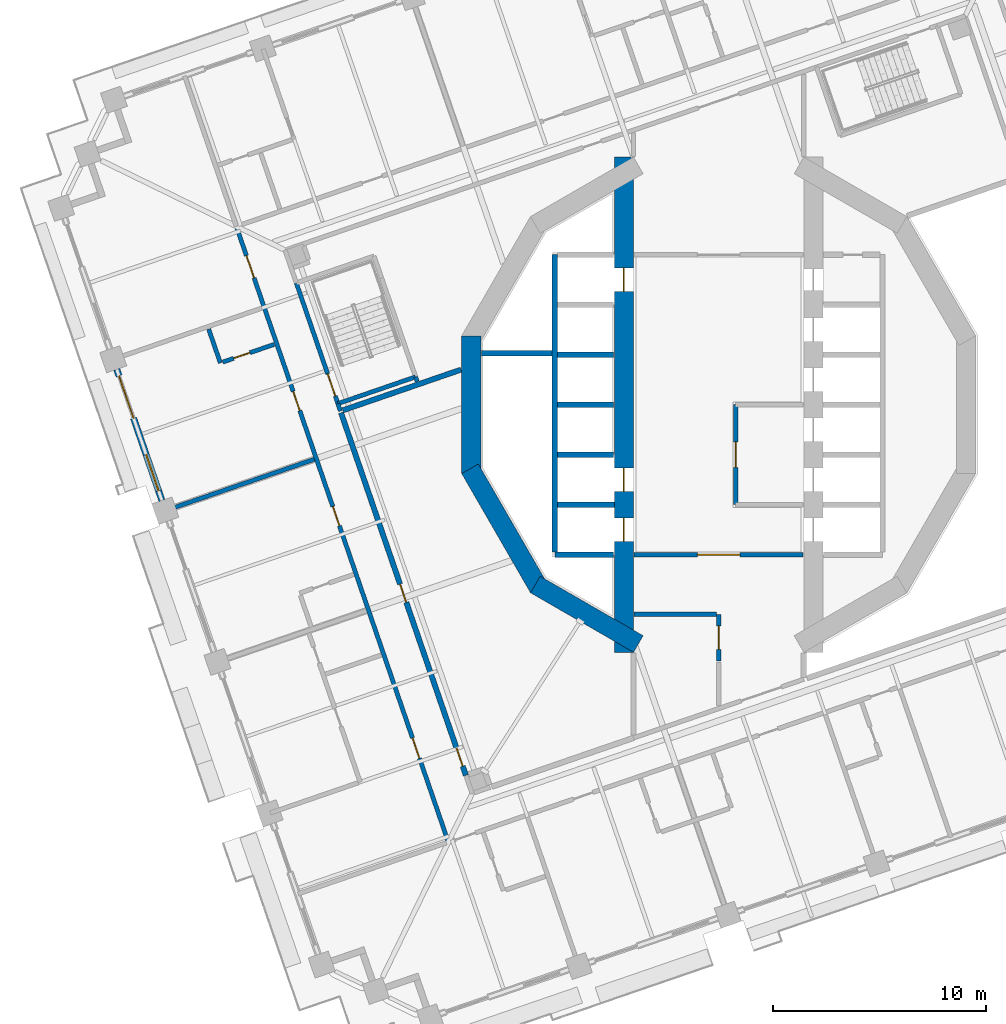
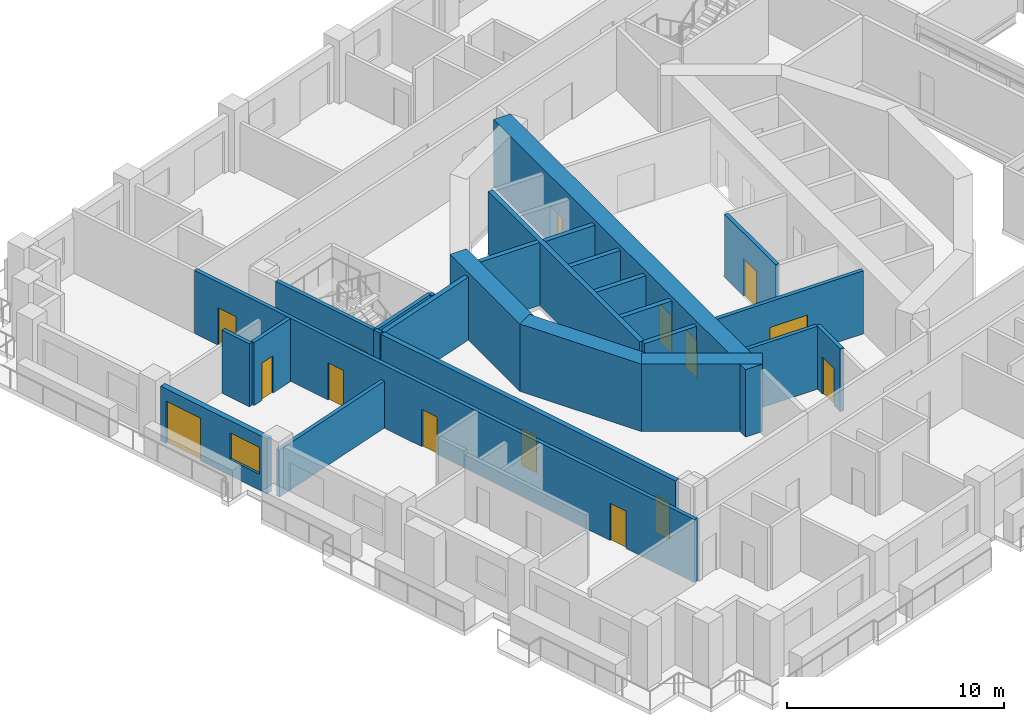
# One storey, part 9 of 22: 26 walls, 15 doors, 1 window, 16 openings.
"""IFC4 building model written with IfcOpenShell, lengths in metres."""

from ifc_helpers import new_model, si_unit, direction, frame, frame_2d, origin, place, context, subcontext, project, spatial, rectangle, extrude, material, layer, layer_set, type_object, element, fill, save


model = new_model("IFC4")

# Units and contexts
model_context = context("Model", 3, precision=1e-05, world=origin(), true_north=direction((0.0, 1.0)))
body_context = subcontext(model_context, "Body", "Model", "MODEL_VIEW")
ifc_project = project(units=[si_unit("LENGTHUNIT", "METRE"), si_unit("AREAUNIT", "SQUARE_METRE"), si_unit("VOLUMEUNIT", "CUBIC_METRE"), si_unit("PLANEANGLEUNIT", "RADIAN"), si_unit("MASSUNIT", "GRAM", prefix="KILO")], contexts=[model_context])

# Site, building, storey
site_placement = place(None, origin())
site = spatial("IfcSite", under=ifc_project, at=site_placement, CompositionType="ELEMENT")
building_placement = place(site_placement, origin())
building = spatial("IfcBuilding", under=site, at=building_placement, Name="Cantera Rosa Tower", CompositionType="ELEMENT")
storey_placement = place(building_placement, frame((0.0, 0.0, 115.5)))
storey = spatial("IfcBuildingStorey", under=building, at=storey_placement, Name="L23", CompositionType="ELEMENT", Elevation=115.5)

# Wall, openings, doors
ifc_material_1 = material(Name="Gypsum board partition")
ifc_layer_1 = layer(ifc_material_1, 0.199951171875)
ifc_layer_set_1 = layer_set([ifc_layer_1], Name="CORRIDOR WALL 200 H3550")
wall_type_1 = type_object("IfcWallType", Name="CORRIDOR WALL 200 H3550", PredefinedType="PARTITIONING", material=ifc_layer_set_1)
wall_1_placement = place(storey_placement, frame((-22.656005859375, 8.359375, 0.0), z_axis=(0.0, 0.0, 1.0), x_axis=(0.325572380533, -0.945517120434, 0.0)))
wall_1 = element("IfcWall", 1, at=wall_1_placement, inside=storey, type_object=wall_type_1, Name="CORRIDOR WALL L23-004", PredefinedType="PARTITIONING", context=body_context, shape_type="SweptSolid", body=[
    extrude(rectangle(XDim=30.580078125, YDim=0.199951171875, at=frame_2d((15.2900390625, 0.0))), origin(), (0.0, 0.0, 1.0), 3.550048828125),
])
opening_1_placement = place(wall_1_placement, frame((8.18505859375, 0.0, 0.0)))
opening_1 = element("IfcOpeningElement", 2, at=opening_1_placement, cuts=wall_1, Name="Opening L23-027", PredefinedType="OPENING", context=body_context, shape_type="SweptSolid", body=[
    extrude(rectangle(XDim=0.949951171875, YDim=2.10009765625, at=frame_2d((0.47509765625, 1.050048828125))), frame((0.0, 0.10986328125, 0.0), z_axis=(0.0, -1.0, 0.0), x_axis=(1.0, 0.0, 0.0)), (0.0, 0.0, 1.0), 0.219970703125),
])
opening_2_placement = place(wall_1_placement, frame((13.905029296875, 0.0, 0.0)))
opening_2 = element("IfcOpeningElement", 3, at=opening_2_placement, cuts=wall_1, Name="Opening L23-029", PredefinedType="OPENING", context=body_context, shape_type="SweptSolid", body=[
    extrude(rectangle(XDim=0.949951171875, YDim=2.10009765625, at=frame_2d((0.47509765625, 1.050048828125))), frame((0.0, 0.10986328125, 0.0), z_axis=(0.0, -1.0, 0.0), x_axis=(1.0, 0.0, 0.0)), (0.0, 0.0, 1.0), 0.219970703125),
])
opening_3_placement = place(wall_1_placement, frame((25.409912109375, 0.0, 0.0)))
opening_3 = element("IfcOpeningElement", 4, at=opening_3_placement, cuts=wall_1, Name="Opening L23-031", PredefinedType="OPENING", context=body_context, shape_type="SweptSolid", body=[
    extrude(rectangle(XDim=1.0, YDim=2.10009765625, at=frame_2d((0.5, 1.050048828125))), frame((0.0, 0.10986328125, 0.0), z_axis=(0.0, -1.0, 0.0), x_axis=(1.0, 0.0, 0.0)), (0.0, 0.0, 1.0), 0.219970703125),
])
opening_4_placement = place(wall_1_placement, frame((1.43994140625, 0.0, 0.0)))
opening_4 = element("IfcOpeningElement", 5, at=opening_4_placement, cuts=wall_1, Name="Opening L23-034", PredefinedType="OPENING", context=body_context, shape_type="SweptSolid", body=[
    extrude(rectangle(XDim=1.10009765625, YDim=2.10009765625, at=frame_2d((0.550048828125, 1.050048828125))), frame((0.0, 0.10986328125, 0.0), z_axis=(0.0, -1.0, 0.0), x_axis=(1.0, 0.0, 0.0)), (0.0, 0.0, 1.0), 0.219970703125),
])
ifc_material_2 = material(Name="Timber door leaf", Category="wood")
door_type_1 = type_object("IfcDoorType", Name="ENTRANCE DOOR 1000x2100", OperationType="NOTDEFINED", PredefinedType="DOOR", material=ifc_material_2)
door_1_placement = place(opening_3_placement, origin())
door_1 = element("IfcDoor", 6, at=door_1_placement, inside=storey, type_object=door_type_1, Name="DOOR L23-031", OperationType="NOTDEFINED", OverallHeight=2.10009765625, OverallWidth=1.0, PredefinedType="DOOR", context=body_context, shape_type="SweptSolid", body=[
    extrude(rectangle(XDim=1.0, YDim=2.10009765625, at=frame_2d((0.5, 1.050048828125))), frame((0.0, 0.02490234375, 0.0), z_axis=(0.0, -1.0, 0.0), x_axis=(1.0, 0.0, 0.0)), (0.0, 0.0, 1.0), 0.050048828125),
])
fill(opening_3, door_1)
ifc_material_3 = material(Name="Timber door leaf", Category="wood")
door_type_2 = type_object("IfcDoorType", Name="ROOM DOOR 1100x2100", OperationType="NOTDEFINED", PredefinedType="DOOR", material=ifc_material_3)
door_2_placement = place(opening_4_placement, origin())
door_2 = element("IfcDoor", 7, at=door_2_placement, inside=storey, type_object=door_type_2, Name="DOOR L23-034", OperationType="NOTDEFINED", OverallHeight=2.10009765625, OverallWidth=1.10009765625, PredefinedType="DOOR", context=body_context, shape_type="SweptSolid", body=[
    extrude(rectangle(XDim=1.10009765625, YDim=2.10009765625, at=frame_2d((0.550048828125, 1.050048828125))), frame((0.0, 0.02490234375, 0.0), z_axis=(0.0, -1.0, 0.0), x_axis=(1.0, 0.0, 0.0)), (0.0, 0.0, 1.0), 0.050048828125),
])
fill(opening_4, door_2)
ifc_material_4 = material(Name="Timber door leaf", Category="wood")
door_type_3 = type_object("IfcDoorType", Name="ROOM DOOR 950x2100", OperationType="NOTDEFINED", PredefinedType="DOOR", material=ifc_material_4)
door_3_placement = place(opening_1_placement, origin())
door_3 = element("IfcDoor", 8, at=door_3_placement, inside=storey, type_object=door_type_3, Name="DOOR L23-027", OperationType="NOTDEFINED", OverallHeight=2.10009765625, OverallWidth=0.949951171875, PredefinedType="DOOR", context=body_context, shape_type="SweptSolid", body=[
    extrude(rectangle(XDim=0.949951171875, YDim=2.10009765625, at=frame_2d((0.47509765625, 1.050048828125))), frame((0.0, 0.02490234375, 0.0), z_axis=(0.0, -1.0, 0.0), x_axis=(1.0, 0.0, 0.0)), (0.0, 0.0, 1.0), 0.050048828125),
])
fill(opening_1, door_3)
door_4_placement = place(opening_2_placement, origin())
door_4 = element("IfcDoor", 9, at=door_4_placement, inside=storey, type_object=door_type_3, Name="DOOR L23-029", OperationType="NOTDEFINED", OverallHeight=2.10009765625, OverallWidth=0.949951171875, PredefinedType="DOOR", context=body_context, shape_type="SweptSolid", body=[
    extrude(rectangle(XDim=0.949951171875, YDim=2.10009765625, at=frame_2d((0.47509765625, 1.050048828125))), frame((0.0, 0.02490234375, 0.0), z_axis=(0.0, -1.0, 0.0), x_axis=(1.0, 0.0, 0.0)), (0.0, 0.0, 1.0), 0.050048828125),
])
fill(opening_2, door_4)

# Wall
wall_2_placement = place(storey_placement, frame((-17.8916015625, 0.05126953125, 0.0), z_axis=(0.0, 0.0, 1.0), x_axis=(0.325627937911, -0.945497988391, 0.0)))
element("IfcWall", 10, at=wall_2_placement, inside=storey, type_object=wall_type_1, Name="CORRIDOR WALL L23-018", PredefinedType="PARTITIONING", context=body_context, shape_type="SweptSolid", body=[
    extrude(rectangle(XDim=0.373291015625, YDim=0.199951171875, at=frame_2d((0.1865234375, 0.0))), origin(), (0.0, 0.0, 1.0), 3.550048828125),
])

# Wall, opening, door
wall_3_placement = place(storey_placement, frame((0.0, -12.044189453125, 0.0), z_axis=(0.0, 0.0, 1.0), x_axis=(0.0, 1.0, 0.0)))
wall_3 = element("IfcWall", 11, at=wall_3_placement, inside=storey, type_object=wall_type_1, Name="CORRIDOR WALL L23-061", PredefinedType="PARTITIONING", context=body_context, shape_type="SweptSolid", body=[
    extrude(rectangle(XDim=2.194091796875, YDim=0.199951171875, at=frame_2d((1.09716796875, 0.0))), origin(), (0.0, 0.0, 1.0), 3.550048828125),
])
opening_5_placement = place(wall_3_placement, frame((0.547119140625, 0.0, 0.0)))
opening_5 = element("IfcOpeningElement", 12, at=opening_5_placement, cuts=wall_3, Name="Opening L23-012", PredefinedType="OPENING", context=body_context, shape_type="SweptSolid", body=[
    extrude(rectangle(XDim=1.10009765625, YDim=2.10009765625, at=frame_2d((0.550048828125, 1.050048828125))), frame((0.0, 0.10986328125, 0.0), z_axis=(0.0, -1.0, 0.0), x_axis=(1.0, 0.0, 0.0)), (0.0, 0.0, 1.0), 0.219970703125),
])
door_5_placement = place(opening_5_placement, origin())
door_5 = element("IfcDoor", 13, at=door_5_placement, inside=storey, type_object=door_type_2, Name="DOOR L23-012", OperationType="NOTDEFINED", OverallHeight=2.10009765625, OverallWidth=1.10009765625, PredefinedType="DOOR", context=body_context, shape_type="SweptSolid", body=[
    extrude(rectangle(XDim=1.10009765625, YDim=2.10009765625, at=frame_2d((0.550048828125, 1.050048828125))), frame((0.0, 0.02490234375, 0.0), z_axis=(0.0, -1.0, 0.0), x_axis=(1.0, 0.0, 0.0)), (0.0, 0.0, 1.0), 0.050048828125),
])
fill(opening_5, door_5)

# Wall
wall_4_placement = place(storey_placement, frame((-0.10009765625, -9.85009765625, 0.0), z_axis=(0.0, 0.0, 1.0), x_axis=(-1.0, 0.0, 0.0)))
element("IfcWall", 14, at=wall_4_placement, inside=storey, type_object=wall_type_1, Name="CORRIDOR WALL L23-062", PredefinedType="PARTITIONING", context=body_context, shape_type="SweptSolid", body=[
    extrude(rectangle(XDim=3.869873046875, YDim=0.199951171875, at=frame_2d((1.93505859375, 0.0))), origin(), (0.0, 0.0, 1.0), 3.550048828125),
])

# Wall, opening, door
wall_5_placement = place(storey_placement, frame((3.969970703125, -7.050048828125, 0.0), z_axis=(0.0, 0.0, 1.0), x_axis=(-1.0, 0.0, 0.0)))
wall_5 = element("IfcWall", 15, at=wall_5_placement, inside=storey, type_object=wall_type_1, Name="CORRIDOR WALL L23-066", PredefinedType="PARTITIONING", context=body_context, shape_type="SweptSolid", body=[
    extrude(rectangle(XDim=7.93994140625, YDim=0.199951171875, at=frame_2d((3.969970703125, 0.0))), origin(), (0.0, 0.0, 1.0), 3.550048828125),
])
opening_6_placement = place(wall_5_placement, frame((2.969970703125, 0.0, 0.0)))
opening_6 = element("IfcOpeningElement", 16, at=opening_6_placement, cuts=wall_5, Name="Opening L23-010", PredefinedType="OPENING", context=body_context, shape_type="SweptSolid", body=[
    extrude(rectangle(XDim=2.0, YDim=2.10009765625, at=frame_2d((1.0, 1.050048828125))), frame((0.0, 0.10986328125, 0.0), z_axis=(0.0, -1.0, 0.0), x_axis=(1.0, 0.0, 0.0)), (0.0, 0.0, 1.0), 0.219970703125),
])
ifc_material_5 = material(Name="Steel S355J2 (EN 10025-2)", Category="steel")
door_type_4 = type_object("IfcDoorType", Name="LOBBY SCREEN DOOR 2000x2100", OperationType="NOTDEFINED", PredefinedType="DOOR", material=ifc_material_5)
door_6_placement = place(opening_6_placement, origin())
door_6 = element("IfcDoor", 17, at=door_6_placement, inside=storey, type_object=door_type_4, Name="DOOR L23-010", OperationType="NOTDEFINED", OverallHeight=2.10009765625, OverallWidth=2.0, PredefinedType="DOOR", context=body_context, shape_type="SweptSolid", body=[
    extrude(rectangle(XDim=2.0, YDim=2.10009765625, at=frame_2d((1.0, 1.050048828125))), frame((0.0, 0.02490234375, 0.0), z_axis=(0.0, -1.0, 0.0), x_axis=(1.0, 0.0, 0.0)), (0.0, 0.0, 1.0), 0.050048828125),
])
fill(opening_6, door_6)

# Wall, openings, window, door
ifc_material_6 = material(Name="Hollow clay masonry with cantera stone cladding", Category="masonry")
ifc_layer_2 = layer(ifc_material_6, 0.300048828125)
ifc_layer_set_2 = layer_set([ifc_layer_2], Name="EW-LOGGIA 300 H3090")
wall_type_2 = type_object("IfcWallType", Name="EW-LOGGIA 300 H3090", PredefinedType="SOLIDWALL", material=ifc_layer_set_2)
wall_6_placement = place(storey_placement, frame((-28.2822265625, 1.662841796875, 0.0), z_axis=(0.0, 0.0, 1.0), x_axis=(0.325580990241, -0.945514155787, 0.0)))
wall_6 = element("IfcWall", 18, at=wall_6_placement, inside=storey, type_object=wall_type_2, Name="EN-L23-W17", PredefinedType="SOLIDWALL", context=body_context, shape_type="SweptSolid", body=[
    extrude(rectangle(XDim=6.52001953125, YDim=0.300048828125, at=frame_2d((3.260009765625, 0.0))), origin(), (0.0, 0.0, 1.0), 3.090087890625),
])
opening_7_placement = place(wall_6_placement, frame((0.330078125, 0.0, 0.0)))
opening_7 = element("IfcOpeningElement", 19, at=opening_7_placement, cuts=wall_6, Name="Opening L23-TD21", PredefinedType="OPENING", context=body_context, shape_type="SweptSolid", body=[
    extrude(rectangle(XDim=2.10009765625, YDim=2.39990234375, at=frame_2d((1.050048828125, 1.199951171875))), frame((0.0, 0.159912109375, 0.0), z_axis=(0.0, -1.0, 0.0), x_axis=(1.0, 0.0, 0.0)), (0.0, 0.0, 1.0), 0.320068359375),
])
opening_8_placement = place(wall_6_placement, frame((4.239990234375, 0.0, 0.89990234375)))
opening_8 = element("IfcOpeningElement", 20, at=opening_8_placement, cuts=wall_6, Name="Opening L23-W22", PredefinedType="OPENING", context=body_context, shape_type="SweptSolid", body=[
    extrude(rectangle(XDim=1.800048828125, YDim=1.5, at=frame_2d((0.89990234375, 0.75))), frame((0.0, 0.159912109375, 0.0), z_axis=(0.0, -1.0, 0.0), x_axis=(1.0, 0.0, 0.0)), (0.0, 0.0, 1.0), 0.320068359375),
])
ifc_material_7 = material(Name="Aluminium frame with clear glass", Category="aluminium")
window_type = type_object("IfcWindowType", Name="Hotel room window 1800x1500", PartitioningType="DOUBLE_PANEL_VERTICAL", PredefinedType="WINDOW", material=ifc_material_7)
window_placement = place(opening_8_placement, origin())
window = element("IfcWindow", 21, at=window_placement, inside=storey, type_object=window_type, Name="WINDOW L23-W22", OverallHeight=1.5, OverallWidth=1.800048828125, PartitioningType="SINGLE_PANEL", PredefinedType="WINDOW", context=body_context, shape_type="SweptSolid", body=[
    extrude(rectangle(XDim=1.800048828125, YDim=1.5, at=frame_2d((0.89990234375, 0.75))), frame((0.0, 0.030029296875, 0.0), z_axis=(0.0, -1.0, 0.0), x_axis=(1.0, 0.0, 0.0)), (0.0, 0.0, 1.0), 0.06005859375),
])
fill(opening_8, window)
ifc_material_8 = material(Name="Aluminium frame with clear glass", Category="aluminium")
door_type_5 = type_object("IfcDoorType", Name="TD-H 2100x2400", OperationType="NOTDEFINED", PredefinedType="DOOR", material=ifc_material_8)
door_7_placement = place(opening_7_placement, origin())
door_7 = element("IfcDoor", 22, at=door_7_placement, inside=storey, type_object=door_type_5, Name="LOGGIA DOOR L23-TD21", OperationType="SLIDING_TO_LEFT", OverallHeight=2.39990234375, OverallWidth=2.10009765625, PredefinedType="DOOR", context=body_context, shape_type="SweptSolid", body=[
    extrude(rectangle(XDim=2.10009765625, YDim=2.39990234375, at=frame_2d((1.050048828125, 1.199951171875))), frame((0.0, 0.02490234375, 0.0), z_axis=(0.0, -1.0, 0.0), x_axis=(1.0, 0.0, 0.0)), (0.0, 0.0, 1.0), 0.050048828125),
])
fill(opening_7, door_7)

# Wall
ifc_material_9 = material(Name="Gypsum board partition")
ifc_layer_3 = layer(ifc_material_9, 0.199951171875)
ifc_layer_set_3 = layer_set([ifc_layer_3], Name="PARTITION 200 H3550")
wall_type_3 = type_object("IfcWallType", Name="PARTITION 200 H3550", PredefinedType="PARTITIONING", material=ifc_layer_set_3)
wall_7_placement = place(storey_placement, frame((-23.4150390625, 1.9638671875, 0.0), z_axis=(0.0, 0.0, 1.0), x_axis=(-0.325542759796, 0.945527319301, 0.0)))
element("IfcWall", 23, at=wall_7_placement, inside=storey, type_object=wall_type_3, Name="PARTITION L23-002", PredefinedType="PARTITIONING", context=body_context, shape_type="SweptSolid", body=[
    extrude(rectangle(XDim=1.679931640625, YDim=0.199951171875, at=frame_2d((0.83984375, 0.0))), origin(), (0.0, 0.0, 1.0), 3.550048828125),
])

# Wall, opening, door
wall_8_placement = place(storey_placement, frame((-20.881103515625, 2.836181640625, 0.0), z_axis=(0.0, 0.0, 1.0), x_axis=(-0.945538067089, -0.325511541555, 0.0)))
wall_8 = element("IfcWall", 24, at=wall_8_placement, inside=storey, type_object=wall_type_3, Name="PARTITION L23-007", PredefinedType="PARTITIONING", context=body_context, shape_type="SweptSolid", body=[
    extrude(rectangle(XDim=2.559814453125, YDim=0.199951171875, at=frame_2d((1.27978515625, 0.0))), origin(), (0.0, 0.0, 1.0), 3.550048828125),
])
opening_9_placement = place(wall_8_placement, frame((1.216064453125, 0.0, 0.0)))
opening_9 = element("IfcOpeningElement", 25, at=opening_9_placement, cuts=wall_8, Name="Opening L23-028", PredefinedType="OPENING", context=body_context, shape_type="SweptSolid", body=[
    extrude(rectangle(XDim=0.800048828125, YDim=2.10009765625, at=frame_2d((0.39990234375, 1.050048828125))), frame((0.0, 0.10986328125, 0.0), z_axis=(0.0, -1.0, 0.0), x_axis=(1.0, 0.0, 0.0)), (0.0, 0.0, 1.0), 0.219970703125),
])
ifc_material_10 = material(Name="Timber door leaf", Category="wood")
door_type_6 = type_object("IfcDoorType", Name="BATHROOM DOOR 800x2100", OperationType="NOTDEFINED", PredefinedType="DOOR", material=ifc_material_10)
door_8_placement = place(opening_9_placement, origin())
door_8 = element("IfcDoor", 26, at=door_8_placement, inside=storey, type_object=door_type_6, Name="DOOR L23-028", OperationType="NOTDEFINED", OverallHeight=2.10009765625, OverallWidth=0.800048828125, PredefinedType="DOOR", context=body_context, shape_type="SweptSolid", body=[
    extrude(rectangle(XDim=0.800048828125, YDim=2.10009765625, at=frame_2d((0.39990234375, 1.050048828125))), frame((0.0, 0.02490234375, 0.0), z_axis=(0.0, -1.0, 0.0), x_axis=(1.0, 0.0, 0.0)), (0.0, 0.0, 1.0), 0.050048828125),
])
fill(opening_9, door_8)

# Walls
wall_9_placement = place(storey_placement, frame((-14.165283203125, 1.0927734375, 0.0), z_axis=(0.0, 0.0, 1.0), x_axis=(-0.324870696456, 0.945758441984, 0.0)))
element("IfcWall", 27, at=wall_9_placement, inside=storey, type_object=wall_type_3, Name="PARTITION L23-027", PredefinedType="PARTITIONING", context=body_context, shape_type="SweptSolid", body=[
    extrude(rectangle(XDim=0.228515625, YDim=0.199951171875, at=frame_2d((0.1142578125, 0.0))), origin(), (0.0, 0.0, 1.0), 3.550048828125),
])
ifc_material_11 = material(Name="Gypsum board partition")
ifc_layer_4 = layer(ifc_material_11, 0.199951171875)
ifc_layer_set_4 = layer_set([ifc_layer_4], Name="PARTY WALL 200 H2650")
wall_type_4 = type_object("IfcWallType", Name="PARTY WALL 200 H2650", PredefinedType="PARTITIONING", material=ifc_layer_set_4)
wall_10_placement = place(storey_placement, frame((-19.0, -2.5654296875, 0.0), z_axis=(0.0, 0.0, 1.0), x_axis=(-0.945509836983, -0.325593532134, 0.0)))
element("IfcWall", 28, at=wall_10_placement, inside=storey, type_object=wall_type_4, Name="PARTY WALL L23-017", PredefinedType="PARTITIONING", context=body_context, shape_type="SweptSolid", body=[
    extrude(rectangle(XDim=7.3701171875, YDim=0.199951171875, at=frame_2d((3.68505859375, 0.0))), origin(), (0.0, 0.0, 1.0), 2.64990234375),
])
ifc_material_12 = material(Name="Concrete C70/85", Category="concrete")
ifc_layer_5 = layer(ifc_material_12, 0.89990234375)
ifc_layer_set_5 = layer_set([ifc_layer_5], Name="RC CORE WALL 900 C70/85")
wall_type_5 = type_object("IfcWallType", Name="RC CORE WALL 900 C70/85", PredefinedType="SHEAR", material=ifc_layer_set_5)
wall_11_placement = place(storey_placement, frame((-3.77490234375, -11.242919921875, 0.0), z_axis=(0.0, 0.0, 1.0), x_axis=(-0.866026961591, 0.49999730179, 0.0)))
element("IfcWall", 29, at=wall_11_placement, inside=storey, type_object=wall_type_5, Name="CW-W1 L23", PredefinedType="SHEAR", context=body_context, shape_type="SweptSolid", body=[
    extrude(rectangle(XDim=5.58740234375, YDim=0.89990234375, at=frame_2d((2.793701171875, 0.0))), origin(), (0.0, 0.0, 1.0), 3.800048828125),
])
wall_12_placement = place(storey_placement, frame((-8.44921875, -8.61376953125, 0.0), z_axis=(0.0, 0.0, 1.0), x_axis=(-0.499990282633, 0.866031014036, 0.0)))
element("IfcWall", 30, at=wall_12_placement, inside=storey, type_object=wall_type_5, Name="CW-W2 L23", PredefinedType="SHEAR", context=body_context, shape_type="SweptSolid", body=[
    extrude(rectangle(XDim=6.470458984375, YDim=0.89990234375, at=frame_2d((3.2353515625, 0.0))), origin(), (0.0, 0.0, 1.0), 3.800048828125),
])
wall_13_placement = place(storey_placement, frame((-11.6240234375, -3.2353515625, 0.0), z_axis=(0.0, 0.0, 1.0), x_axis=(0.0, 1.0, 0.0)))
element("IfcWall", 31, at=wall_13_placement, inside=storey, type_object=wall_type_5, Name="CW-W3 L23", PredefinedType="SHEAR", context=body_context, shape_type="SweptSolid", body=[
    extrude(rectangle(XDim=6.470703125, YDim=0.89990234375, at=frame_2d((3.2353515625, 0.0))), origin(), (0.0, 0.0, 1.0), 3.800048828125),
])

# Wall, openings, doors
wall_14_placement = place(storey_placement, frame((-4.449951171875, 11.632568359375, 0.0), z_axis=(0.0, 0.0, 1.0), x_axis=(0.0, -1.0, 0.0)))
wall_14 = element("IfcWall", 32, at=wall_14_placement, inside=storey, type_object=wall_type_5, Name="CW-W6 L23", PredefinedType="SHEAR", context=body_context, shape_type="SweptSolid", body=[
    extrude(rectangle(XDim=23.26513671875, YDim=0.89990234375, at=frame_2d((11.632568359375, 0.0))), origin(), (0.0, 0.0, 1.0), 3.800048828125),
])
opening_10_placement = place(wall_14_placement, frame((14.607421875, 0.0, 0.0)))
opening_10 = element("IfcOpeningElement", 33, at=opening_10_placement, cuts=wall_14, Name="Opening LD-P3-L23", PredefinedType="OPENING", context=body_context, shape_type="SweptSolid", body=[
    extrude(rectangle(XDim=1.10009765625, YDim=2.10009765625, at=frame_2d((0.550048828125, 1.050048828125))), frame((0.0, 0.4599609375, 0.0), z_axis=(0.0, -1.0, 0.0), x_axis=(1.0, 0.0, 0.0)), (0.0, 0.0, 1.0), 0.919921875),
])
opening_11_placement = place(wall_14_placement, frame((16.95751953125, 0.0, 0.0)))
opening_11 = element("IfcOpeningElement", 34, at=opening_11_placement, cuts=wall_14, Name="Opening LD-P4-L23", PredefinedType="OPENING", context=body_context, shape_type="SweptSolid", body=[
    extrude(rectangle(XDim=1.10009765625, YDim=2.10009765625, at=frame_2d((0.550048828125, 1.050048828125))), frame((0.0, 0.4599609375, 0.0), z_axis=(0.0, -1.0, 0.0), x_axis=(1.0, 0.0, 0.0)), (0.0, 0.0, 1.0), 0.919921875),
])
opening_12_placement = place(wall_14_placement, frame((5.20751953125, 0.0, 0.0)))
opening_12 = element("IfcOpeningElement", 35, at=opening_12_placement, cuts=wall_14, Name="Opening LD-P5-L23", PredefinedType="OPENING", context=body_context, shape_type="SweptSolid", body=[
    extrude(rectangle(XDim=1.10009765625, YDim=2.10009765625, at=frame_2d((0.550048828125, 1.050048828125))), frame((0.0, 0.4599609375, 0.0), z_axis=(0.0, -1.0, 0.0), x_axis=(1.0, 0.0, 0.0)), (0.0, 0.0, 1.0), 0.919921875),
])
ifc_material_13 = material(Name="Steel S355J2 (EN 10025-2)", Category="steel")
door_type_7 = type_object("IfcDoorType", Name="LANDING DOOR 1100x2100", OperationType="NOTDEFINED", PredefinedType="DOOR", material=ifc_material_13)
door_9_placement = place(opening_10_placement, origin())
door_9 = element("IfcDoor", 36, at=door_9_placement, inside=storey, type_object=door_type_7, Name="LANDING DOOR P3 L23", OperationType="SLIDING_TO_LEFT", OverallHeight=2.10009765625, OverallWidth=1.10009765625, PredefinedType="DOOR", context=body_context, shape_type="SweptSolid", body=[
    extrude(rectangle(XDim=1.10009765625, YDim=2.10009765625, at=frame_2d((0.550048828125, 1.050048828125))), frame((0.0, 0.02490234375, 0.0), z_axis=(0.0, -1.0, 0.0), x_axis=(1.0, 0.0, 0.0)), (0.0, 0.0, 1.0), 0.050048828125),
])
fill(opening_10, door_9)
door_10_placement = place(opening_11_placement, origin())
door_10 = element("IfcDoor", 37, at=door_10_placement, inside=storey, type_object=door_type_7, Name="LANDING DOOR P4 L23", OperationType="SLIDING_TO_LEFT", OverallHeight=2.10009765625, OverallWidth=1.10009765625, PredefinedType="DOOR", context=body_context, shape_type="SweptSolid", body=[
    extrude(rectangle(XDim=1.10009765625, YDim=2.10009765625, at=frame_2d((0.550048828125, 1.050048828125))), frame((0.0, 0.02490234375, 0.0), z_axis=(0.0, -1.0, 0.0), x_axis=(1.0, 0.0, 0.0)), (0.0, 0.0, 1.0), 0.050048828125),
])
fill(opening_11, door_10)
door_11_placement = place(opening_12_placement, origin())
door_11 = element("IfcDoor", 38, at=door_11_placement, inside=storey, type_object=door_type_7, Name="LANDING DOOR P5 L23", OperationType="SLIDING_TO_LEFT", OverallHeight=2.10009765625, OverallWidth=1.10009765625, PredefinedType="DOOR", context=body_context, shape_type="SweptSolid", body=[
    extrude(rectangle(XDim=1.10009765625, YDim=2.10009765625, at=frame_2d((0.550048828125, 1.050048828125))), frame((0.0, 0.02490234375, 0.0), z_axis=(0.0, -1.0, 0.0), x_axis=(1.0, 0.0, 0.0)), (0.0, 0.0, 1.0), 0.050048828125),
])
fill(opening_12, door_11)

# Wall
ifc_material_14 = material(Name="Masonry blockwork", Category="masonry")
ifc_layer_6 = layer(ifc_material_14, 0.25)
ifc_layer_set_6 = layer_set([ifc_layer_6], Name="SHAFT WALL 250 H3550")
wall_type_6 = type_object("IfcWallType", Name="SHAFT WALL 250 H3550", PredefinedType="SOLIDWALL", material=ifc_layer_set_6)
wall_15_placement = place(storey_placement, frame((-17.656494140625, -0.2626953125, 0.0), z_axis=(0.0, 0.0, 1.0), x_axis=(0.945519124738, 0.325566559637, 0.0)))
element("IfcWall", 39, at=wall_15_placement, inside=storey, type_object=wall_type_6, Name="SHAFT WALL L23-019", PredefinedType="SOLIDWALL", context=body_context, shape_type="SweptSolid", body=[
    extrude(rectangle(XDim=5.872314453125, YDim=0.25, at=frame_2d((2.93603515625, 0.0))), origin(), (0.0, 0.0, 1.0), 3.550048828125),
])

# Wall, openings, doors
wall_16_placement = place(storey_placement, frame((-17.743896484375, -0.37744140625, 0.0), z_axis=(0.0, 0.0, 1.0), x_axis=(0.325568935993, -0.945518306495, 0.0)))
wall_16 = element("IfcWall", 40, at=wall_16_placement, inside=storey, type_object=wall_type_6, Name="SHAFT WALL L23-020", PredefinedType="SOLIDWALL", context=body_context, shape_type="SweptSolid", body=[
    extrude(rectangle(XDim=18.019775390625, YDim=0.25, at=frame_2d((9.009765625, 0.0))), origin(), (0.0, 0.0, 1.0), 3.550048828125),
])
opening_13_placement = place(wall_16_placement, frame((16.6650390625, 0.0, 0.0)))
opening_13 = element("IfcOpeningElement", 41, at=opening_13_placement, cuts=wall_16, Name="Opening L23-005", PredefinedType="OPENING", context=body_context, shape_type="SweptSolid", body=[
    extrude(rectangle(XDim=0.89990234375, YDim=2.10009765625, at=frame_2d((0.449951171875, 1.050048828125))), frame((0.0, 0.135009765625, 0.0), z_axis=(0.0, -1.0, 0.0), x_axis=(1.0, 0.0, 0.0)), (0.0, 0.0, 1.0), 0.27001953125),
])
opening_14_placement = place(wall_16_placement, frame((8.52001953125, 0.0, 0.0)))
opening_14 = element("IfcOpeningElement", 42, at=opening_14_placement, cuts=wall_16, Name="Opening L23-045", PredefinedType="OPENING", context=body_context, shape_type="SweptSolid", body=[
    extrude(rectangle(XDim=0.89990234375, YDim=2.10009765625, at=frame_2d((0.449951171875, 1.050048828125))), frame((0.0, 0.135009765625, 0.0), z_axis=(0.0, -1.0, 0.0), x_axis=(1.0, 0.0, 0.0)), (0.0, 0.0, 1.0), 0.27001953125),
])
ifc_material_15 = material(Name="Timber door leaf", Category="wood")
door_type_8 = type_object("IfcDoorType", Name="SERVICE DOOR 900x2100", OperationType="NOTDEFINED", PredefinedType="DOOR", material=ifc_material_15)
door_12_placement = place(opening_13_placement, origin())
door_12 = element("IfcDoor", 43, at=door_12_placement, inside=storey, type_object=door_type_8, Name="RISER DOOR L23-005", OperationType="NOTDEFINED", OverallHeight=2.10009765625, OverallWidth=0.89990234375, PredefinedType="DOOR", context=body_context, shape_type="SweptSolid", body=[
    extrude(rectangle(XDim=0.89990234375, YDim=2.10009765625, at=frame_2d((0.449951171875, 1.050048828125))), frame((0.0, 0.02490234375, 0.0), z_axis=(0.0, -1.0, 0.0), x_axis=(1.0, 0.0, 0.0)), (0.0, 0.0, 1.0), 0.050048828125),
])
fill(opening_13, door_12)
door_13_placement = place(opening_14_placement, origin())
door_13 = element("IfcDoor", 44, at=door_13_placement, inside=storey, type_object=door_type_8, Name="RISER DOOR L23-045", OperationType="NOTDEFINED", OverallHeight=2.10009765625, OverallWidth=0.89990234375, PredefinedType="DOOR", context=body_context, shape_type="SweptSolid", body=[
    extrude(rectangle(XDim=0.89990234375, YDim=2.10009765625, at=frame_2d((0.449951171875, 1.050048828125))), frame((0.0, 0.02490234375, 0.0), z_axis=(0.0, -1.0, 0.0), x_axis=(1.0, 0.0, 0.0)), (0.0, 0.0, 1.0), 0.050048828125),
])
fill(opening_14, door_13)

# Walls
wall_17_placement = place(storey_placement, frame((-11.14404296875, 2.417724609375, 0.0), z_axis=(0.0, 0.0, 1.0), x_axis=(1.0, 0.0, 0.0)))
element("IfcWall", 45, at=wall_17_placement, inside=storey, type_object=wall_type_6, Name="SHAFT WALL L23-032", PredefinedType="SOLIDWALL", context=body_context, shape_type="SweptSolid", body=[
    extrude(rectangle(XDim=3.319091796875, YDim=0.25, at=frame_2d((1.65966796875, 0.0))), origin(), (0.0, 0.0, 1.0), 3.550048828125),
])
wall_18_placement = place(storey_placement, frame((-7.699951171875, -7.050048828125, 0.0), z_axis=(0.0, 0.0, 1.0), x_axis=(1.0, 0.0, 0.0)))
element("IfcWall", 46, at=wall_18_placement, inside=storey, type_object=wall_type_6, Name="SHAFT WALL L23-038", PredefinedType="SOLIDWALL", context=body_context, shape_type="SweptSolid", body=[
    extrude(rectangle(XDim=2.77001953125, YDim=0.25, at=frame_2d((1.385009765625, 0.0))), origin(), (0.0, 0.0, 1.0), 3.550048828125),
])
wall_19_placement = place(storey_placement, frame((-7.574951171875, -4.699951171875, 0.0), z_axis=(0.0, 0.0, 1.0), x_axis=(1.0, 0.0, 0.0)))
element("IfcWall", 47, at=wall_19_placement, inside=storey, type_object=wall_type_6, Name="SHAFT WALL L23-039", PredefinedType="SOLIDWALL", context=body_context, shape_type="SweptSolid", body=[
    extrude(rectangle(XDim=2.675048828125, YDim=0.25, at=frame_2d((1.33740234375, 0.0))), origin(), (0.0, 0.0, 1.0), 3.550048828125),
])
for number, where, z_axis, x_axis, name in (
    (48, (-7.574951171875, -2.35009765625, 0.0), (0.0, 0.0, 1.0), (1.0, 0.0, 0.0), "SHAFT WALL L23-040"),
    (49, (-7.574951171875, 0.0, 0.0), (0.0, 0.0, 1.0), (1.0, 0.0, 0.0), "SHAFT WALL L23-041"),
    (50, (-7.574951171875, 2.35009765625, 0.0), (0.0, 0.0, 1.0), (1.0, 0.0, 0.0), "SHAFT WALL L23-042"),
):
    element("IfcWall", number, at=place(storey_placement, frame(where, z_axis=z_axis, x_axis=x_axis)), inside=storey, type_object=wall_type_6, Name=name, PredefinedType="SOLIDWALL", context=body_context, shape_type="SweptSolid", body=[
        extrude(rectangle(XDim=2.64501953125, YDim=0.25, at=frame_2d((1.322509765625, 0.0))), origin(), (0.0, 0.0, 1.0), 3.550048828125),
    ])
wall_20_placement = place(storey_placement, frame((-7.699951171875, 7.050048828125, 0.0), z_axis=(0.0, 0.0, 1.0), x_axis=(0.0, -1.0, 0.0)))
element("IfcWall", 51, at=wall_20_placement, inside=storey, type_object=wall_type_6, Name="SHAFT WALL L23-044", PredefinedType="SOLIDWALL", context=body_context, shape_type="SweptSolid", body=[
    extrude(rectangle(XDim=13.97998046875, YDim=0.25, at=frame_2d((6.989990234375, 0.0))), origin(), (0.0, 0.0, 1.0), 3.550048828125),
])

# Wall, opening, door
ifc_material_16 = material(Name="Concrete C50/60", Category="concrete")
ifc_layer_7 = layer(ifc_material_16, 0.199951171875)
ifc_layer_set_7 = layer_set([ifc_layer_7], Name="STAIR WALL 200 H3550")
wall_type_7 = type_object("IfcWallType", Name="STAIR WALL 200 H3550", PredefinedType="SOLIDWALL", material=ifc_layer_set_7)
wall_21_placement = place(storey_placement, frame((-19.844970703125, 5.724365234375, 0.0), z_axis=(0.0, 0.0, 1.0), x_axis=(0.325563034341, -0.945520338581, 0.0)))
wall_21 = element("IfcWall", 52, at=wall_21_placement, inside=storey, type_object=wall_type_7, Name="STAIR WALL L23-011", PredefinedType="SOLIDWALL", context=body_context, shape_type="SweptSolid", body=[
    extrude(rectangle(XDim=6.0, YDim=0.199951171875, at=frame_2d((3.0, 0.0))), origin(), (0.0, 0.0, 1.0), 3.550048828125),
])
opening_15_placement = place(wall_21_placement, frame((4.52490234375, 0.0, 0.0)))
opening_15 = element("IfcOpeningElement", 53, at=opening_15_placement, cuts=wall_21, Name="Opening L23-002", PredefinedType="OPENING", context=body_context, shape_type="SweptSolid", body=[
    extrude(rectangle(XDim=1.10009765625, YDim=2.10009765625, at=frame_2d((0.550048828125, 1.050048828125))), frame((0.0, 0.10986328125, 0.0), z_axis=(0.0, -1.0, 0.0), x_axis=(1.0, 0.0, 0.0)), (0.0, 0.0, 1.0), 0.219970703125),
])
ifc_material_17 = material(Name="Steel S355J2 (EN 10025-2)", Category="steel")
door_type_9 = type_object("IfcDoorType", Name="STAIR DOOR 1100x2100", OperationType="NOTDEFINED", PredefinedType="DOOR", material=ifc_material_17)
door_14_placement = place(opening_15_placement, origin())
door_14 = element("IfcDoor", 54, at=door_14_placement, inside=storey, type_object=door_type_9, Name="DOOR L23-002", OperationType="NOTDEFINED", OverallHeight=2.10009765625, OverallWidth=1.10009765625, PredefinedType="DOOR", context=body_context, shape_type="SweptSolid", body=[
    extrude(rectangle(XDim=1.10009765625, YDim=2.10009765625, at=frame_2d((0.550048828125, 1.050048828125))), frame((0.0, 0.02490234375, 0.0), z_axis=(0.0, -1.0, 0.0), x_axis=(1.0, 0.0, 0.0)), (0.0, 0.0, 1.0), 0.050048828125),
])
fill(opening_15, door_14)

# Wall
wall_22_placement = place(storey_placement, frame((-14.239501953125, 1.308837890625, 0.0), z_axis=(0.0, 0.0, 1.0), x_axis=(-0.945514621213, -0.325579638603, 0.0)))
element("IfcWall", 55, at=wall_22_placement, inside=storey, type_object=wall_type_7, Name="STAIR WALL L23-025", PredefinedType="SOLIDWALL", context=body_context, shape_type="SweptSolid", body=[
    extrude(rectangle(XDim=3.862548828125, YDim=0.199951171875, at=frame_2d((1.93115234375, 0.0))), origin(), (0.0, 0.0, 1.0), 3.550048828125),
])

# Wall, opening, door
wall_23_placement = place(storey_placement, frame((0.800048828125, -4.699951171875, 0.0), z_axis=(0.0, 0.0, 1.0), x_axis=(0.0, 1.0, 0.0)))
wall_23 = element("IfcWall", 56, at=wall_23_placement, inside=storey, type_object=wall_type_7, Name="STAIR WALL L23-064", PredefinedType="SOLIDWALL", context=body_context, shape_type="SweptSolid", body=[
    extrude(rectangle(XDim=4.699951171875, YDim=0.199951171875, at=frame_2d((2.35009765625, 0.0))), origin(), (0.0, 0.0, 1.0), 3.550048828125),
])
opening_16_placement = place(wall_23_placement, frame((1.75, 0.0, 0.0)))
opening_16 = element("IfcOpeningElement", 57, at=opening_16_placement, cuts=wall_23, Name="Opening L23-011", PredefinedType="OPENING", context=body_context, shape_type="SweptSolid", body=[
    extrude(rectangle(XDim=1.199951171875, YDim=2.10009765625, at=frame_2d((0.60009765625, 1.050048828125))), frame((0.0, 0.10986328125, 0.0), z_axis=(0.0, -1.0, 0.0), x_axis=(1.0, 0.0, 0.0)), (0.0, 0.0, 1.0), 0.219970703125),
])
ifc_material_18 = material(Name="Steel S355J2 (EN 10025-2)", Category="steel")
door_type_10 = type_object("IfcDoorType", Name="FIRE DOOR 1200x2100", OperationType="NOTDEFINED", PredefinedType="DOOR", material=ifc_material_18)
door_15_placement = place(opening_16_placement, origin())
door_15 = element("IfcDoor", 58, at=door_15_placement, inside=storey, type_object=door_type_10, Name="DOOR L23-011", OperationType="NOTDEFINED", OverallHeight=2.10009765625, OverallWidth=1.199951171875, PredefinedType="DOOR", context=body_context, shape_type="SweptSolid", body=[
    extrude(rectangle(XDim=1.199951171875, YDim=2.10009765625, at=frame_2d((0.60009765625, 1.050048828125))), frame((0.0, 0.02490234375, 0.0), z_axis=(0.0, -1.0, 0.0), x_axis=(1.0, 0.0, 0.0)), (0.0, 0.0, 1.0), 0.050048828125),
])
fill(opening_16, door_15)

save(model, "model.ifc")
